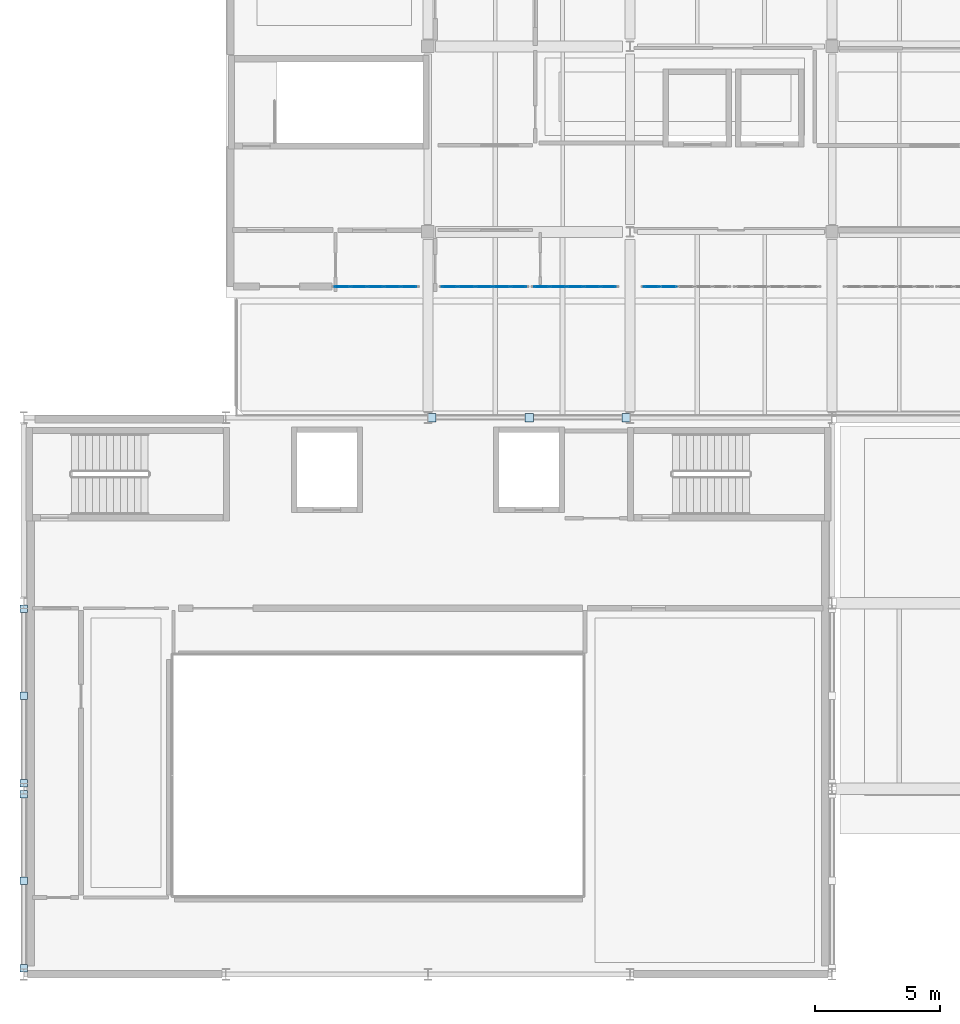
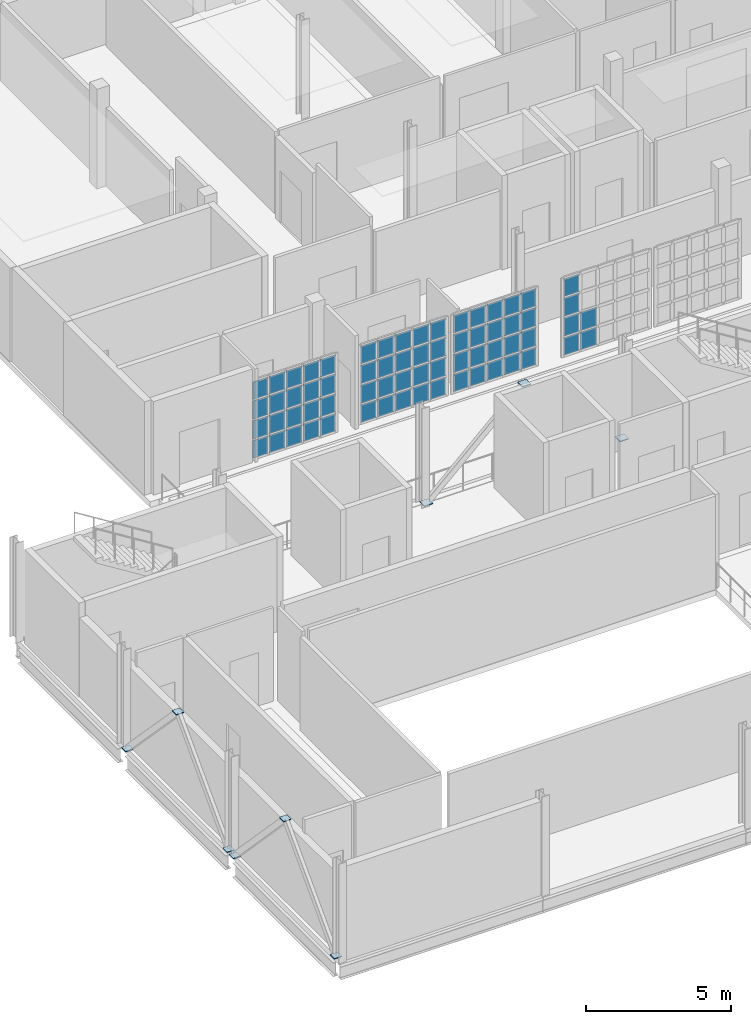
# One storey, part 16 of 25: 75 plates, 4 elements without a shape of their own.
"""IFC4 building model written with IfcOpenShell, lengths in metres."""

from ifc_helpers import new_model, si_unit, direction, frame, origin, origin_2d, place, context, subcontext, project, spatial, rectangle, extrude, material, layer, layer_set, type_object, element, aggregate, save


model = new_model("IFC4")

# Units and contexts
model_context = context("Model", 3, precision=1e-05, world=origin(), true_north=direction((0.0, 1.0)))
body_context = subcontext(model_context, "Body", "Model", "MODEL_VIEW")
ifc_project = project(units=[si_unit("LENGTHUNIT", "METRE"), si_unit("AREAUNIT", "SQUARE_METRE"), si_unit("VOLUMEUNIT", "CUBIC_METRE"), si_unit("PLANEANGLEUNIT", "RADIAN"), si_unit("MASSUNIT", "GRAM", prefix="KILO")], contexts=[model_context])

# Site, building, storey
site_placement = place(None, origin())
site = spatial("IfcSite", under=ifc_project, at=site_placement, CompositionType="ELEMENT")
building_placement = place(site_placement, origin())
building = spatial("IfcBuilding", under=site, at=building_placement, Name="Kaelora Sail Theatre", CompositionType="ELEMENT")
storey_placement = place(building_placement, frame((0.0, 0.0, 19.199951171875)))
storey = spatial("IfcBuildingStorey", under=building, at=storey_placement, Name="L04", CompositionType="ELEMENT", Elevation=19.199951171875)

# Curtain wall, plates
ifc_material_1 = material(Name="Anodised aluminium and solar-control low-E IGU", Category="aluminium")
curtain_wall_type = type_object("IfcCurtainWallType", Name="ARC-CW-CW-CLR", PredefinedType="NOTDEFINED", material=ifc_material_1)
curtain_wall_1_placement = place(storey_placement, origin())
curtain_wall_1 = element("IfcCurtainWall", 1, at=curtain_wall_1_placement, inside=storey, type_object=curtain_wall_type, Name="Glazed Foyer/Conservatory Curtain Wall NW2-S-L04-01", PredefinedType="NOTDEFINED")
ifc_material_2 = material(Name="Solar-control laminated low-E glass", Category="glass")
ifc_layer_1 = layer(ifc_material_2, 0.031982421875)
ifc_layer_set_1 = layer_set([ifc_layer_1], Name="Solar-control laminated low-E glass")
plate_type_1 = type_object("IfcPlateType", Name="ARC-CW-PNL", PredefinedType="CURTAIN_PANEL", material=ifc_layer_set_1)
plate_1_placement = place(storey_placement, frame((38.554931640625, 88.590087890625, 0.06982421875), z_axis=(0.0, 0.0, 1.0), x_axis=(1.0, 0.0, 0.0)))
plate_1 = element("IfcPlate", 2, at=plate_1_placement, type_object=plate_type_1, Name="CW-CLR panel 1.1", PredefinedType="CURTAIN_PANEL", context=body_context, shape_type="SweptSolid", body=[
    extrude(rectangle(XDim=0.590087890625, YDim=0.031982421875, at=origin_2d()), origin(), (0.0, 0.0, 1.0), 0.731689453125),
])
plate_2_placement = place(storey_placement, frame((38.554931640625, 88.590087890625, 0.87158203125), z_axis=(0.0, 0.0, 1.0), x_axis=(1.0, 0.0, 0.0)))
plate_2 = element("IfcPlate", 3, at=plate_2_placement, type_object=plate_type_1, Name="CW-CLR panel 1.2", PredefinedType="CURTAIN_PANEL", context=body_context, shape_type="SweptSolid", body=[
    extrude(rectangle(XDim=0.590087890625, YDim=0.031982421875, at=origin_2d()), origin(), (0.0, 0.0, 1.0), 0.766845703125),
])
plate_3_placement = place(storey_placement, frame((38.554931640625, 88.590087890625, 1.70849609375), z_axis=(0.0, 0.0, 1.0), x_axis=(1.0, 0.0, 0.0)))
plate_3 = element("IfcPlate", 4, at=plate_3_placement, type_object=plate_type_1, Name="CW-CLR panel 1.3", PredefinedType="CURTAIN_PANEL", context=body_context, shape_type="SweptSolid", body=[
    extrude(rectangle(XDim=0.590087890625, YDim=0.031982421875, at=origin_2d()), origin(), (0.0, 0.0, 1.0), 0.766845703125),
])
plate_4_placement = place(storey_placement, frame((38.554931640625, 88.590087890625, 2.54541015625), z_axis=(0.0, 0.0, 1.0), x_axis=(1.0, 0.0, 0.0)))
plate_4 = element("IfcPlate", 5, at=plate_4_placement, type_object=plate_type_1, Name="CW-CLR panel 1.4", PredefinedType="CURTAIN_PANEL", context=body_context, shape_type="SweptSolid", body=[
    extrude(rectangle(XDim=0.590087890625, YDim=0.031982421875, at=origin_2d()), origin(), (0.0, 0.0, 1.0), 0.731689453125),
])
plate_5_placement = place(storey_placement, frame((39.219970703125, 88.590087890625, 0.06982421875), z_axis=(0.0, 0.0, 1.0), x_axis=(1.0, 0.0, 0.0)))
plate_5 = element("IfcPlate", 6, at=plate_5_placement, type_object=plate_type_1, Name="CW-CLR panel 2.1", PredefinedType="CURTAIN_PANEL", context=body_context, shape_type="SweptSolid", body=[
    extrude(rectangle(XDim=0.6201171875, YDim=0.031982421875, at=origin_2d()), origin(), (0.0, 0.0, 1.0), 0.731689453125),
])
plate_6_placement = place(storey_placement, frame((39.219970703125, 88.590087890625, 0.87158203125), z_axis=(0.0, 0.0, 1.0), x_axis=(1.0, 0.0, 0.0)))
plate_6 = element("IfcPlate", 7, at=plate_6_placement, type_object=plate_type_1, Name="CW-CLR panel 2.2", PredefinedType="CURTAIN_PANEL", context=body_context, shape_type="SweptSolid", body=[
    extrude(rectangle(XDim=0.6201171875, YDim=0.031982421875, at=origin_2d()), origin(), (0.0, 0.0, 1.0), 0.766845703125),
])
plate_7_placement = place(storey_placement, frame((39.219970703125, 88.590087890625, 1.70849609375), z_axis=(0.0, 0.0, 1.0), x_axis=(1.0, 0.0, 0.0)))
plate_7 = element("IfcPlate", 8, at=plate_7_placement, type_object=plate_type_1, Name="CW-CLR panel 2.3", PredefinedType="CURTAIN_PANEL", context=body_context, shape_type="SweptSolid", body=[
    extrude(rectangle(XDim=0.6201171875, YDim=0.031982421875, at=origin_2d()), origin(), (0.0, 0.0, 1.0), 0.766845703125),
])
plate_8_placement = place(storey_placement, frame((39.219970703125, 88.590087890625, 2.54541015625), z_axis=(0.0, 0.0, 1.0), x_axis=(1.0, 0.0, 0.0)))
plate_8 = element("IfcPlate", 9, at=plate_8_placement, type_object=plate_type_1, Name="CW-CLR panel 2.4", PredefinedType="CURTAIN_PANEL", context=body_context, shape_type="SweptSolid", body=[
    extrude(rectangle(XDim=0.6201171875, YDim=0.031982421875, at=origin_2d()), origin(), (0.0, 0.0, 1.0), 0.731689453125),
])
plate_9_placement = place(storey_placement, frame((39.89990234375, 88.590087890625, 0.06982421875), z_axis=(0.0, 0.0, 1.0), x_axis=(1.0, 0.0, 0.0)))
plate_9 = element("IfcPlate", 10, at=plate_9_placement, type_object=plate_type_1, Name="CW-CLR panel 3.1", PredefinedType="CURTAIN_PANEL", context=body_context, shape_type="SweptSolid", body=[
    extrude(rectangle(XDim=0.6201171875, YDim=0.031982421875, at=origin_2d()), origin(), (0.0, 0.0, 1.0), 0.731689453125),
])
plate_10_placement = place(storey_placement, frame((39.89990234375, 88.590087890625, 0.87158203125), z_axis=(0.0, 0.0, 1.0), x_axis=(1.0, 0.0, 0.0)))
plate_10 = element("IfcPlate", 11, at=plate_10_placement, type_object=plate_type_1, Name="CW-CLR panel 3.2", PredefinedType="CURTAIN_PANEL", context=body_context, shape_type="SweptSolid", body=[
    extrude(rectangle(XDim=0.6201171875, YDim=0.031982421875, at=origin_2d()), origin(), (0.0, 0.0, 1.0), 0.766845703125),
])
plate_11_placement = place(storey_placement, frame((39.89990234375, 88.590087890625, 1.70849609375), z_axis=(0.0, 0.0, 1.0), x_axis=(1.0, 0.0, 0.0)))
plate_11 = element("IfcPlate", 12, at=plate_11_placement, type_object=plate_type_1, Name="CW-CLR panel 3.3", PredefinedType="CURTAIN_PANEL", context=body_context, shape_type="SweptSolid", body=[
    extrude(rectangle(XDim=0.6201171875, YDim=0.031982421875, at=origin_2d()), origin(), (0.0, 0.0, 1.0), 0.766845703125),
])
plate_12_placement = place(storey_placement, frame((39.89990234375, 88.590087890625, 2.54541015625), z_axis=(0.0, 0.0, 1.0), x_axis=(1.0, 0.0, 0.0)))
plate_12 = element("IfcPlate", 13, at=plate_12_placement, type_object=plate_type_1, Name="CW-CLR panel 3.4", PredefinedType="CURTAIN_PANEL", context=body_context, shape_type="SweptSolid", body=[
    extrude(rectangle(XDim=0.6201171875, YDim=0.031982421875, at=origin_2d()), origin(), (0.0, 0.0, 1.0), 0.731689453125),
])
plate_13_placement = place(storey_placement, frame((40.580078125, 88.590087890625, 0.06982421875), z_axis=(0.0, 0.0, 1.0), x_axis=(1.0, 0.0, 0.0)))
plate_13 = element("IfcPlate", 14, at=plate_13_placement, type_object=plate_type_1, Name="CW-CLR panel 4.1", PredefinedType="CURTAIN_PANEL", context=body_context, shape_type="SweptSolid", body=[
    extrude(rectangle(XDim=0.6201171875, YDim=0.031982421875, at=origin_2d()), origin(), (0.0, 0.0, 1.0), 0.731689453125),
])
plate_14_placement = place(storey_placement, frame((40.580078125, 88.590087890625, 0.87158203125), z_axis=(0.0, 0.0, 1.0), x_axis=(1.0, 0.0, 0.0)))
plate_14 = element("IfcPlate", 15, at=plate_14_placement, type_object=plate_type_1, Name="CW-CLR panel 4.2", PredefinedType="CURTAIN_PANEL", context=body_context, shape_type="SweptSolid", body=[
    extrude(rectangle(XDim=0.6201171875, YDim=0.031982421875, at=origin_2d()), origin(), (0.0, 0.0, 1.0), 0.766845703125),
])
plate_15_placement = place(storey_placement, frame((40.580078125, 88.590087890625, 1.70849609375), z_axis=(0.0, 0.0, 1.0), x_axis=(1.0, 0.0, 0.0)))
plate_15 = element("IfcPlate", 16, at=plate_15_placement, type_object=plate_type_1, Name="CW-CLR panel 4.3", PredefinedType="CURTAIN_PANEL", context=body_context, shape_type="SweptSolid", body=[
    extrude(rectangle(XDim=0.6201171875, YDim=0.031982421875, at=origin_2d()), origin(), (0.0, 0.0, 1.0), 0.766845703125),
])
plate_16_placement = place(storey_placement, frame((40.580078125, 88.590087890625, 2.54541015625), z_axis=(0.0, 0.0, 1.0), x_axis=(1.0, 0.0, 0.0)))
plate_16 = element("IfcPlate", 17, at=plate_16_placement, type_object=plate_type_1, Name="CW-CLR panel 4.4", PredefinedType="CURTAIN_PANEL", context=body_context, shape_type="SweptSolid", body=[
    extrude(rectangle(XDim=0.6201171875, YDim=0.031982421875, at=origin_2d()), origin(), (0.0, 0.0, 1.0), 0.731689453125),
])
plate_17_placement = place(storey_placement, frame((41.2451171875, 88.590087890625, 0.06982421875), z_axis=(0.0, 0.0, 1.0), x_axis=(1.0, 0.0, 0.0)))
plate_17 = element("IfcPlate", 18, at=plate_17_placement, type_object=plate_type_1, Name="CW-CLR panel 5.1", PredefinedType="CURTAIN_PANEL", context=body_context, shape_type="SweptSolid", body=[
    extrude(rectangle(XDim=0.590087890625, YDim=0.031982421875, at=origin_2d()), origin(), (0.0, 0.0, 1.0), 0.731689453125),
])
plate_18_placement = place(storey_placement, frame((41.2451171875, 88.590087890625, 0.87158203125), z_axis=(0.0, 0.0, 1.0), x_axis=(1.0, 0.0, 0.0)))
plate_18 = element("IfcPlate", 19, at=plate_18_placement, type_object=plate_type_1, Name="CW-CLR panel 5.2", PredefinedType="CURTAIN_PANEL", context=body_context, shape_type="SweptSolid", body=[
    extrude(rectangle(XDim=0.590087890625, YDim=0.031982421875, at=origin_2d()), origin(), (0.0, 0.0, 1.0), 0.766845703125),
])
plate_19_placement = place(storey_placement, frame((41.2451171875, 88.590087890625, 1.70849609375), z_axis=(0.0, 0.0, 1.0), x_axis=(1.0, 0.0, 0.0)))
plate_19 = element("IfcPlate", 20, at=plate_19_placement, type_object=plate_type_1, Name="CW-CLR panel 5.3", PredefinedType="CURTAIN_PANEL", context=body_context, shape_type="SweptSolid", body=[
    extrude(rectangle(XDim=0.590087890625, YDim=0.031982421875, at=origin_2d()), origin(), (0.0, 0.0, 1.0), 0.766845703125),
])
plate_20_placement = place(storey_placement, frame((41.2451171875, 88.590087890625, 2.54541015625), z_axis=(0.0, 0.0, 1.0), x_axis=(1.0, 0.0, 0.0)))
plate_20 = element("IfcPlate", 21, at=plate_20_placement, type_object=plate_type_1, Name="CW-CLR panel 5.4", PredefinedType="CURTAIN_PANEL", context=body_context, shape_type="SweptSolid", body=[
    extrude(rectangle(XDim=0.590087890625, YDim=0.031982421875, at=origin_2d()), origin(), (0.0, 0.0, 1.0), 0.731689453125),
])
aggregate(curtain_wall_1, [plate_1, plate_2, plate_3, plate_4, plate_5, plate_6, plate_7, plate_8, plate_9, plate_10, plate_11, plate_12, plate_13, plate_14, plate_15, plate_16, plate_17, plate_18, plate_19, plate_20])

curtain_wall_2_placement = place(storey_placement, origin())
curtain_wall_2 = element("IfcCurtainWall", 22, at=curtain_wall_2_placement, inside=storey, type_object=curtain_wall_type, Name="Glazed Foyer/Conservatory Curtain Wall NW2-S-L04-02", PredefinedType="NOTDEFINED")
plate_21_placement = place(storey_placement, frame((42.864990234375, 88.590087890625, 0.06982421875), z_axis=(0.0, 0.0, 1.0), x_axis=(1.0, 0.0, 0.0)))
plate_21 = element("IfcPlate", 23, at=plate_21_placement, type_object=plate_type_1, Name="CW-CLR panel 1.1", PredefinedType="CURTAIN_PANEL", context=body_context, shape_type="SweptSolid", body=[
    extrude(rectangle(XDim=0.610107421875, YDim=0.031982421875, at=origin_2d()), origin(), (0.0, 0.0, 1.0), 0.731689453125),
])
plate_22_placement = place(storey_placement, frame((42.864990234375, 88.590087890625, 0.87158203125), z_axis=(0.0, 0.0, 1.0), x_axis=(1.0, 0.0, 0.0)))
plate_22 = element("IfcPlate", 24, at=plate_22_placement, type_object=plate_type_1, Name="CW-CLR panel 1.2", PredefinedType="CURTAIN_PANEL", context=body_context, shape_type="SweptSolid", body=[
    extrude(rectangle(XDim=0.610107421875, YDim=0.031982421875, at=origin_2d()), origin(), (0.0, 0.0, 1.0), 0.766845703125),
])
plate_23_placement = place(storey_placement, frame((42.864990234375, 88.590087890625, 1.70849609375), z_axis=(0.0, 0.0, 1.0), x_axis=(1.0, 0.0, 0.0)))
plate_23 = element("IfcPlate", 25, at=plate_23_placement, type_object=plate_type_1, Name="CW-CLR panel 1.3", PredefinedType="CURTAIN_PANEL", context=body_context, shape_type="SweptSolid", body=[
    extrude(rectangle(XDim=0.610107421875, YDim=0.031982421875, at=origin_2d()), origin(), (0.0, 0.0, 1.0), 0.766845703125),
])
plate_24_placement = place(storey_placement, frame((42.864990234375, 88.590087890625, 2.54541015625), z_axis=(0.0, 0.0, 1.0), x_axis=(1.0, 0.0, 0.0)))
plate_24 = element("IfcPlate", 26, at=plate_24_placement, type_object=plate_type_1, Name="CW-CLR panel 1.4", PredefinedType="CURTAIN_PANEL", context=body_context, shape_type="SweptSolid", body=[
    extrude(rectangle(XDim=0.610107421875, YDim=0.031982421875, at=origin_2d()), origin(), (0.0, 0.0, 1.0), 0.731689453125),
])
plate_25_placement = place(storey_placement, frame((43.550048828125, 88.590087890625, 0.06982421875), z_axis=(0.0, 0.0, 1.0), x_axis=(1.0, 0.0, 0.0)))
plate_25 = element("IfcPlate", 27, at=plate_25_placement, type_object=plate_type_1, Name="CW-CLR panel 2.1", PredefinedType="CURTAIN_PANEL", context=body_context, shape_type="SweptSolid", body=[
    extrude(rectangle(XDim=0.639892578125, YDim=0.031982421875, at=origin_2d()), origin(), (0.0, 0.0, 1.0), 0.731689453125),
])
plate_26_placement = place(storey_placement, frame((43.550048828125, 88.590087890625, 0.87158203125), z_axis=(0.0, 0.0, 1.0), x_axis=(1.0, 0.0, 0.0)))
plate_26 = element("IfcPlate", 28, at=plate_26_placement, type_object=plate_type_1, Name="CW-CLR panel 2.2", PredefinedType="CURTAIN_PANEL", context=body_context, shape_type="SweptSolid", body=[
    extrude(rectangle(XDim=0.639892578125, YDim=0.031982421875, at=origin_2d()), origin(), (0.0, 0.0, 1.0), 0.766845703125),
])
plate_27_placement = place(storey_placement, frame((43.550048828125, 88.590087890625, 1.70849609375), z_axis=(0.0, 0.0, 1.0), x_axis=(1.0, 0.0, 0.0)))
plate_27 = element("IfcPlate", 29, at=plate_27_placement, type_object=plate_type_1, Name="CW-CLR panel 2.3", PredefinedType="CURTAIN_PANEL", context=body_context, shape_type="SweptSolid", body=[
    extrude(rectangle(XDim=0.639892578125, YDim=0.031982421875, at=origin_2d()), origin(), (0.0, 0.0, 1.0), 0.766845703125),
])
plate_28_placement = place(storey_placement, frame((43.550048828125, 88.590087890625, 2.54541015625), z_axis=(0.0, 0.0, 1.0), x_axis=(1.0, 0.0, 0.0)))
plate_28 = element("IfcPlate", 30, at=plate_28_placement, type_object=plate_type_1, Name="CW-CLR panel 2.4", PredefinedType="CURTAIN_PANEL", context=body_context, shape_type="SweptSolid", body=[
    extrude(rectangle(XDim=0.639892578125, YDim=0.031982421875, at=origin_2d()), origin(), (0.0, 0.0, 1.0), 0.731689453125),
])
plate_29_placement = place(storey_placement, frame((44.25, 88.590087890625, 0.06982421875), z_axis=(0.0, 0.0, 1.0), x_axis=(1.0, 0.0, 0.0)))
plate_29 = element("IfcPlate", 31, at=plate_29_placement, type_object=plate_type_1, Name="CW-CLR panel 3.1", PredefinedType="CURTAIN_PANEL", context=body_context, shape_type="SweptSolid", body=[
    extrude(rectangle(XDim=0.639892578125, YDim=0.031982421875, at=origin_2d()), origin(), (0.0, 0.0, 1.0), 0.731689453125),
])
plate_30_placement = place(storey_placement, frame((44.25, 88.590087890625, 0.87158203125), z_axis=(0.0, 0.0, 1.0), x_axis=(1.0, 0.0, 0.0)))
plate_30 = element("IfcPlate", 32, at=plate_30_placement, type_object=plate_type_1, Name="CW-CLR panel 3.2", PredefinedType="CURTAIN_PANEL", context=body_context, shape_type="SweptSolid", body=[
    extrude(rectangle(XDim=0.639892578125, YDim=0.031982421875, at=origin_2d()), origin(), (0.0, 0.0, 1.0), 0.766845703125),
])
plate_31_placement = place(storey_placement, frame((44.25, 88.590087890625, 1.70849609375), z_axis=(0.0, 0.0, 1.0), x_axis=(1.0, 0.0, 0.0)))
plate_31 = element("IfcPlate", 33, at=plate_31_placement, type_object=plate_type_1, Name="CW-CLR panel 3.3", PredefinedType="CURTAIN_PANEL", context=body_context, shape_type="SweptSolid", body=[
    extrude(rectangle(XDim=0.639892578125, YDim=0.031982421875, at=origin_2d()), origin(), (0.0, 0.0, 1.0), 0.766845703125),
])
plate_32_placement = place(storey_placement, frame((44.25, 88.590087890625, 2.54541015625), z_axis=(0.0, 0.0, 1.0), x_axis=(1.0, 0.0, 0.0)))
plate_32 = element("IfcPlate", 34, at=plate_32_placement, type_object=plate_type_1, Name="CW-CLR panel 3.4", PredefinedType="CURTAIN_PANEL", context=body_context, shape_type="SweptSolid", body=[
    extrude(rectangle(XDim=0.639892578125, YDim=0.031982421875, at=origin_2d()), origin(), (0.0, 0.0, 1.0), 0.731689453125),
])
plate_33_placement = place(storey_placement, frame((44.949951171875, 88.590087890625, 0.06982421875), z_axis=(0.0, 0.0, 1.0), x_axis=(1.0, 0.0, 0.0)))
plate_33 = element("IfcPlate", 35, at=plate_33_placement, type_object=plate_type_1, Name="CW-CLR panel 4.1", PredefinedType="CURTAIN_PANEL", context=body_context, shape_type="SweptSolid", body=[
    extrude(rectangle(XDim=0.639892578125, YDim=0.031982421875, at=origin_2d()), origin(), (0.0, 0.0, 1.0), 0.731689453125),
])
plate_34_placement = place(storey_placement, frame((44.949951171875, 88.590087890625, 0.87158203125), z_axis=(0.0, 0.0, 1.0), x_axis=(1.0, 0.0, 0.0)))
plate_34 = element("IfcPlate", 36, at=plate_34_placement, type_object=plate_type_1, Name="CW-CLR panel 4.2", PredefinedType="CURTAIN_PANEL", context=body_context, shape_type="SweptSolid", body=[
    extrude(rectangle(XDim=0.639892578125, YDim=0.031982421875, at=origin_2d()), origin(), (0.0, 0.0, 1.0), 0.766845703125),
])
plate_35_placement = place(storey_placement, frame((44.949951171875, 88.590087890625, 1.70849609375), z_axis=(0.0, 0.0, 1.0), x_axis=(1.0, 0.0, 0.0)))
plate_35 = element("IfcPlate", 37, at=plate_35_placement, type_object=plate_type_1, Name="CW-CLR panel 4.3", PredefinedType="CURTAIN_PANEL", context=body_context, shape_type="SweptSolid", body=[
    extrude(rectangle(XDim=0.639892578125, YDim=0.031982421875, at=origin_2d()), origin(), (0.0, 0.0, 1.0), 0.766845703125),
])
plate_36_placement = place(storey_placement, frame((44.949951171875, 88.590087890625, 2.54541015625), z_axis=(0.0, 0.0, 1.0), x_axis=(1.0, 0.0, 0.0)))
plate_36 = element("IfcPlate", 38, at=plate_36_placement, type_object=plate_type_1, Name="CW-CLR panel 4.4", PredefinedType="CURTAIN_PANEL", context=body_context, shape_type="SweptSolid", body=[
    extrude(rectangle(XDim=0.639892578125, YDim=0.031982421875, at=origin_2d()), origin(), (0.0, 0.0, 1.0), 0.731689453125),
])
plate_37_placement = place(storey_placement, frame((45.635009765625, 88.590087890625, 0.06982421875), z_axis=(0.0, 0.0, 1.0), x_axis=(1.0, 0.0, 0.0)))
plate_37 = element("IfcPlate", 39, at=plate_37_placement, type_object=plate_type_1, Name="CW-CLR panel 5.1", PredefinedType="CURTAIN_PANEL", context=body_context, shape_type="SweptSolid", body=[
    extrude(rectangle(XDim=0.610107421875, YDim=0.031982421875, at=origin_2d()), origin(), (0.0, 0.0, 1.0), 0.731689453125),
])
plate_38_placement = place(storey_placement, frame((45.635009765625, 88.590087890625, 0.87158203125), z_axis=(0.0, 0.0, 1.0), x_axis=(1.0, 0.0, 0.0)))
plate_38 = element("IfcPlate", 40, at=plate_38_placement, type_object=plate_type_1, Name="CW-CLR panel 5.2", PredefinedType="CURTAIN_PANEL", context=body_context, shape_type="SweptSolid", body=[
    extrude(rectangle(XDim=0.610107421875, YDim=0.031982421875, at=origin_2d()), origin(), (0.0, 0.0, 1.0), 0.766845703125),
])
plate_39_placement = place(storey_placement, frame((45.635009765625, 88.590087890625, 1.70849609375), z_axis=(0.0, 0.0, 1.0), x_axis=(1.0, 0.0, 0.0)))
plate_39 = element("IfcPlate", 41, at=plate_39_placement, type_object=plate_type_1, Name="CW-CLR panel 5.3", PredefinedType="CURTAIN_PANEL", context=body_context, shape_type="SweptSolid", body=[
    extrude(rectangle(XDim=0.610107421875, YDim=0.031982421875, at=origin_2d()), origin(), (0.0, 0.0, 1.0), 0.766845703125),
])
plate_40_placement = place(storey_placement, frame((45.635009765625, 88.590087890625, 2.54541015625), z_axis=(0.0, 0.0, 1.0), x_axis=(1.0, 0.0, 0.0)))
plate_40 = element("IfcPlate", 42, at=plate_40_placement, type_object=plate_type_1, Name="CW-CLR panel 5.4", PredefinedType="CURTAIN_PANEL", context=body_context, shape_type="SweptSolid", body=[
    extrude(rectangle(XDim=0.610107421875, YDim=0.031982421875, at=origin_2d()), origin(), (0.0, 0.0, 1.0), 0.731689453125),
])
aggregate(curtain_wall_2, [plate_21, plate_22, plate_23, plate_24, plate_25, plate_26, plate_27, plate_28, plate_29, plate_30, plate_31, plate_32, plate_33, plate_34, plate_35, plate_36, plate_37, plate_38, plate_39, plate_40])

curtain_wall_3_placement = place(storey_placement, origin())
curtain_wall_3 = element("IfcCurtainWall", 43, at=curtain_wall_3_placement, inside=storey, type_object=curtain_wall_type, Name="Glazed Foyer/Conservatory Curtain Wall NW2-S-L04-03", PredefinedType="NOTDEFINED")
plate_41_placement = place(storey_placement, frame((46.554931640625, 88.590087890625, 0.06982421875), z_axis=(0.0, 0.0, 1.0), x_axis=(1.0, 0.0, 0.0)))
plate_41 = element("IfcPlate", 44, at=plate_41_placement, type_object=plate_type_1, Name="CW-CLR panel 1.1", PredefinedType="CURTAIN_PANEL", context=body_context, shape_type="SweptSolid", body=[
    extrude(rectangle(XDim=0.590087890625, YDim=0.031982421875, at=origin_2d()), origin(), (0.0, 0.0, 1.0), 0.731689453125),
])
plate_42_placement = place(storey_placement, frame((46.554931640625, 88.590087890625, 0.87158203125), z_axis=(0.0, 0.0, 1.0), x_axis=(1.0, 0.0, 0.0)))
plate_42 = element("IfcPlate", 45, at=plate_42_placement, type_object=plate_type_1, Name="CW-CLR panel 1.2", PredefinedType="CURTAIN_PANEL", context=body_context, shape_type="SweptSolid", body=[
    extrude(rectangle(XDim=0.590087890625, YDim=0.031982421875, at=origin_2d()), origin(), (0.0, 0.0, 1.0), 0.766845703125),
])
plate_43_placement = place(storey_placement, frame((46.554931640625, 88.590087890625, 1.70849609375), z_axis=(0.0, 0.0, 1.0), x_axis=(1.0, 0.0, 0.0)))
plate_43 = element("IfcPlate", 46, at=plate_43_placement, type_object=plate_type_1, Name="CW-CLR panel 1.3", PredefinedType="CURTAIN_PANEL", context=body_context, shape_type="SweptSolid", body=[
    extrude(rectangle(XDim=0.590087890625, YDim=0.031982421875, at=origin_2d()), origin(), (0.0, 0.0, 1.0), 0.766845703125),
])
plate_44_placement = place(storey_placement, frame((46.554931640625, 88.590087890625, 2.54541015625), z_axis=(0.0, 0.0, 1.0), x_axis=(1.0, 0.0, 0.0)))
plate_44 = element("IfcPlate", 47, at=plate_44_placement, type_object=plate_type_1, Name="CW-CLR panel 1.4", PredefinedType="CURTAIN_PANEL", context=body_context, shape_type="SweptSolid", body=[
    extrude(rectangle(XDim=0.590087890625, YDim=0.031982421875, at=origin_2d()), origin(), (0.0, 0.0, 1.0), 0.731689453125),
])
plate_45_placement = place(storey_placement, frame((47.219970703125, 88.590087890625, 0.06982421875), z_axis=(0.0, 0.0, 1.0), x_axis=(1.0, 0.0, 0.0)))
plate_45 = element("IfcPlate", 48, at=plate_45_placement, type_object=plate_type_1, Name="CW-CLR panel 2.1", PredefinedType="CURTAIN_PANEL", context=body_context, shape_type="SweptSolid", body=[
    extrude(rectangle(XDim=0.6201171875, YDim=0.031982421875, at=origin_2d()), origin(), (0.0, 0.0, 1.0), 0.731689453125),
])
plate_46_placement = place(storey_placement, frame((47.219970703125, 88.590087890625, 0.87158203125), z_axis=(0.0, 0.0, 1.0), x_axis=(1.0, 0.0, 0.0)))
plate_46 = element("IfcPlate", 49, at=plate_46_placement, type_object=plate_type_1, Name="CW-CLR panel 2.2", PredefinedType="CURTAIN_PANEL", context=body_context, shape_type="SweptSolid", body=[
    extrude(rectangle(XDim=0.6201171875, YDim=0.031982421875, at=origin_2d()), origin(), (0.0, 0.0, 1.0), 0.766845703125),
])
plate_47_placement = place(storey_placement, frame((47.219970703125, 88.590087890625, 1.70849609375), z_axis=(0.0, 0.0, 1.0), x_axis=(1.0, 0.0, 0.0)))
plate_47 = element("IfcPlate", 50, at=plate_47_placement, type_object=plate_type_1, Name="CW-CLR panel 2.3", PredefinedType="CURTAIN_PANEL", context=body_context, shape_type="SweptSolid", body=[
    extrude(rectangle(XDim=0.6201171875, YDim=0.031982421875, at=origin_2d()), origin(), (0.0, 0.0, 1.0), 0.766845703125),
])
plate_48_placement = place(storey_placement, frame((47.219970703125, 88.590087890625, 2.54541015625), z_axis=(0.0, 0.0, 1.0), x_axis=(1.0, 0.0, 0.0)))
plate_48 = element("IfcPlate", 51, at=plate_48_placement, type_object=plate_type_1, Name="CW-CLR panel 2.4", PredefinedType="CURTAIN_PANEL", context=body_context, shape_type="SweptSolid", body=[
    extrude(rectangle(XDim=0.6201171875, YDim=0.031982421875, at=origin_2d()), origin(), (0.0, 0.0, 1.0), 0.731689453125),
])
plate_49_placement = place(storey_placement, frame((47.89990234375, 88.590087890625, 0.06982421875), z_axis=(0.0, 0.0, 1.0), x_axis=(1.0, 0.0, 0.0)))
plate_49 = element("IfcPlate", 52, at=plate_49_placement, type_object=plate_type_1, Name="CW-CLR panel 3.1", PredefinedType="CURTAIN_PANEL", context=body_context, shape_type="SweptSolid", body=[
    extrude(rectangle(XDim=0.6201171875, YDim=0.031982421875, at=origin_2d()), origin(), (0.0, 0.0, 1.0), 0.731689453125),
])
plate_50_placement = place(storey_placement, frame((47.89990234375, 88.590087890625, 0.87158203125), z_axis=(0.0, 0.0, 1.0), x_axis=(1.0, 0.0, 0.0)))
plate_50 = element("IfcPlate", 53, at=plate_50_placement, type_object=plate_type_1, Name="CW-CLR panel 3.2", PredefinedType="CURTAIN_PANEL", context=body_context, shape_type="SweptSolid", body=[
    extrude(rectangle(XDim=0.6201171875, YDim=0.031982421875, at=origin_2d()), origin(), (0.0, 0.0, 1.0), 0.766845703125),
])
plate_51_placement = place(storey_placement, frame((47.89990234375, 88.590087890625, 1.70849609375), z_axis=(0.0, 0.0, 1.0), x_axis=(1.0, 0.0, 0.0)))
plate_51 = element("IfcPlate", 54, at=plate_51_placement, type_object=plate_type_1, Name="CW-CLR panel 3.3", PredefinedType="CURTAIN_PANEL", context=body_context, shape_type="SweptSolid", body=[
    extrude(rectangle(XDim=0.6201171875, YDim=0.031982421875, at=origin_2d()), origin(), (0.0, 0.0, 1.0), 0.766845703125),
])
plate_52_placement = place(storey_placement, frame((47.89990234375, 88.590087890625, 2.54541015625), z_axis=(0.0, 0.0, 1.0), x_axis=(1.0, 0.0, 0.0)))
plate_52 = element("IfcPlate", 55, at=plate_52_placement, type_object=plate_type_1, Name="CW-CLR panel 3.4", PredefinedType="CURTAIN_PANEL", context=body_context, shape_type="SweptSolid", body=[
    extrude(rectangle(XDim=0.6201171875, YDim=0.031982421875, at=origin_2d()), origin(), (0.0, 0.0, 1.0), 0.731689453125),
])
plate_53_placement = place(storey_placement, frame((48.580078125, 88.590087890625, 0.06982421875), z_axis=(0.0, 0.0, 1.0), x_axis=(1.0, 0.0, 0.0)))
plate_53 = element("IfcPlate", 56, at=plate_53_placement, type_object=plate_type_1, Name="CW-CLR panel 4.1", PredefinedType="CURTAIN_PANEL", context=body_context, shape_type="SweptSolid", body=[
    extrude(rectangle(XDim=0.6201171875, YDim=0.031982421875, at=origin_2d()), origin(), (0.0, 0.0, 1.0), 0.731689453125),
])
plate_54_placement = place(storey_placement, frame((48.580078125, 88.590087890625, 0.87158203125), z_axis=(0.0, 0.0, 1.0), x_axis=(1.0, 0.0, 0.0)))
plate_54 = element("IfcPlate", 57, at=plate_54_placement, type_object=plate_type_1, Name="CW-CLR panel 4.2", PredefinedType="CURTAIN_PANEL", context=body_context, shape_type="SweptSolid", body=[
    extrude(rectangle(XDim=0.6201171875, YDim=0.031982421875, at=origin_2d()), origin(), (0.0, 0.0, 1.0), 0.766845703125),
])
plate_55_placement = place(storey_placement, frame((48.580078125, 88.590087890625, 1.70849609375), z_axis=(0.0, 0.0, 1.0), x_axis=(1.0, 0.0, 0.0)))
plate_55 = element("IfcPlate", 58, at=plate_55_placement, type_object=plate_type_1, Name="CW-CLR panel 4.3", PredefinedType="CURTAIN_PANEL", context=body_context, shape_type="SweptSolid", body=[
    extrude(rectangle(XDim=0.6201171875, YDim=0.031982421875, at=origin_2d()), origin(), (0.0, 0.0, 1.0), 0.766845703125),
])
plate_56_placement = place(storey_placement, frame((48.580078125, 88.590087890625, 2.54541015625), z_axis=(0.0, 0.0, 1.0), x_axis=(1.0, 0.0, 0.0)))
plate_56 = element("IfcPlate", 59, at=plate_56_placement, type_object=plate_type_1, Name="CW-CLR panel 4.4", PredefinedType="CURTAIN_PANEL", context=body_context, shape_type="SweptSolid", body=[
    extrude(rectangle(XDim=0.6201171875, YDim=0.031982421875, at=origin_2d()), origin(), (0.0, 0.0, 1.0), 0.731689453125),
])
plate_57_placement = place(storey_placement, frame((49.2451171875, 88.590087890625, 0.06982421875), z_axis=(0.0, 0.0, 1.0), x_axis=(1.0, 0.0, 0.0)))
plate_57 = element("IfcPlate", 60, at=plate_57_placement, type_object=plate_type_1, Name="CW-CLR panel 5.1", PredefinedType="CURTAIN_PANEL", context=body_context, shape_type="SweptSolid", body=[
    extrude(rectangle(XDim=0.590087890625, YDim=0.031982421875, at=origin_2d()), origin(), (0.0, 0.0, 1.0), 0.731689453125),
])
plate_58_placement = place(storey_placement, frame((49.2451171875, 88.590087890625, 0.87158203125), z_axis=(0.0, 0.0, 1.0), x_axis=(1.0, 0.0, 0.0)))
plate_58 = element("IfcPlate", 61, at=plate_58_placement, type_object=plate_type_1, Name="CW-CLR panel 5.2", PredefinedType="CURTAIN_PANEL", context=body_context, shape_type="SweptSolid", body=[
    extrude(rectangle(XDim=0.590087890625, YDim=0.031982421875, at=origin_2d()), origin(), (0.0, 0.0, 1.0), 0.766845703125),
])
plate_59_placement = place(storey_placement, frame((49.2451171875, 88.590087890625, 1.70849609375), z_axis=(0.0, 0.0, 1.0), x_axis=(1.0, 0.0, 0.0)))
plate_59 = element("IfcPlate", 62, at=plate_59_placement, type_object=plate_type_1, Name="CW-CLR panel 5.3", PredefinedType="CURTAIN_PANEL", context=body_context, shape_type="SweptSolid", body=[
    extrude(rectangle(XDim=0.590087890625, YDim=0.031982421875, at=origin_2d()), origin(), (0.0, 0.0, 1.0), 0.766845703125),
])
plate_60_placement = place(storey_placement, frame((49.2451171875, 88.590087890625, 2.54541015625), z_axis=(0.0, 0.0, 1.0), x_axis=(1.0, 0.0, 0.0)))
plate_60 = element("IfcPlate", 63, at=plate_60_placement, type_object=plate_type_1, Name="CW-CLR panel 5.4", PredefinedType="CURTAIN_PANEL", context=body_context, shape_type="SweptSolid", body=[
    extrude(rectangle(XDim=0.590087890625, YDim=0.031982421875, at=origin_2d()), origin(), (0.0, 0.0, 1.0), 0.731689453125),
])
aggregate(curtain_wall_3, [plate_41, plate_42, plate_43, plate_44, plate_45, plate_46, plate_47, plate_48, plate_49, plate_50, plate_51, plate_52, plate_53, plate_54, plate_55, plate_56, plate_57, plate_58, plate_59, plate_60])

curtain_wall_4_placement = place(storey_placement, origin())
curtain_wall_4 = element("IfcCurtainWall", 64, at=curtain_wall_4_placement, inside=storey, type_object=curtain_wall_type, Name="Glazed Foyer/Conservatory Curtain Wall NW2-S-L04-04", PredefinedType="NOTDEFINED")
plate_61_placement = place(storey_placement, frame((50.965087890625, 88.590087890625, 0.06982421875), z_axis=(0.0, 0.0, 1.0), x_axis=(1.0, 0.0, 0.0)))
plate_61 = element("IfcPlate", 65, at=plate_61_placement, type_object=plate_type_1, Name="CW-CLR panel 1.1", PredefinedType="CURTAIN_PANEL", context=body_context, shape_type="SweptSolid", body=[
    extrude(rectangle(XDim=0.610107421875, YDim=0.031982421875, at=origin_2d()), origin(), (0.0, 0.0, 1.0), 0.731689453125),
])
plate_62_placement = place(storey_placement, frame((50.965087890625, 88.590087890625, 0.87158203125), z_axis=(0.0, 0.0, 1.0), x_axis=(1.0, 0.0, 0.0)))
plate_62 = element("IfcPlate", 66, at=plate_62_placement, type_object=plate_type_1, Name="CW-CLR panel 1.2", PredefinedType="CURTAIN_PANEL", context=body_context, shape_type="SweptSolid", body=[
    extrude(rectangle(XDim=0.610107421875, YDim=0.031982421875, at=origin_2d()), origin(), (0.0, 0.0, 1.0), 0.766845703125),
])
plate_63_placement = place(storey_placement, frame((50.965087890625, 88.590087890625, 1.70849609375), z_axis=(0.0, 0.0, 1.0), x_axis=(1.0, 0.0, 0.0)))
plate_63 = element("IfcPlate", 67, at=plate_63_placement, type_object=plate_type_1, Name="CW-CLR panel 1.3", PredefinedType="CURTAIN_PANEL", context=body_context, shape_type="SweptSolid", body=[
    extrude(rectangle(XDim=0.610107421875, YDim=0.031982421875, at=origin_2d()), origin(), (0.0, 0.0, 1.0), 0.766845703125),
])
plate_64_placement = place(storey_placement, frame((50.965087890625, 88.590087890625, 2.54541015625), z_axis=(0.0, 0.0, 1.0), x_axis=(1.0, 0.0, 0.0)))
plate_64 = element("IfcPlate", 68, at=plate_64_placement, type_object=plate_type_1, Name="CW-CLR panel 1.4", PredefinedType="CURTAIN_PANEL", context=body_context, shape_type="SweptSolid", body=[
    extrude(rectangle(XDim=0.610107421875, YDim=0.031982421875, at=origin_2d()), origin(), (0.0, 0.0, 1.0), 0.731689453125),
])
plate_65_placement = place(storey_placement, frame((51.64990234375, 88.590087890625, 0.06982421875), z_axis=(0.0, 0.0, 1.0), x_axis=(1.0, 0.0, 0.0)))
plate_65 = element("IfcPlate", 69, at=plate_65_placement, type_object=plate_type_1, Name="CW-CLR panel 2.1", PredefinedType="CURTAIN_PANEL", context=body_context, shape_type="SweptSolid", body=[
    extrude(rectangle(XDim=0.639892578125, YDim=0.031982421875, at=origin_2d()), origin(), (0.0, 0.0, 1.0), 0.731689453125),
])
plate_66_placement = place(storey_placement, frame((51.64990234375, 88.590087890625, 0.87158203125), z_axis=(0.0, 0.0, 1.0), x_axis=(1.0, 0.0, 0.0)))
plate_66 = element("IfcPlate", 70, at=plate_66_placement, type_object=plate_type_1, Name="CW-CLR panel 2.2", PredefinedType="CURTAIN_PANEL", context=body_context, shape_type="SweptSolid", body=[
    extrude(rectangle(XDim=0.639892578125, YDim=0.031982421875, at=origin_2d()), origin(), (0.0, 0.0, 1.0), 0.766845703125),
])
aggregate(curtain_wall_4, [plate_61, plate_62, plate_63, plate_64, plate_65, plate_66])

# Plates
ifc_material_3 = material(Name="Steel S355", Category="steel")
ifc_layer_2 = layer(ifc_material_3, 0.035888671875)
ifc_layer_set_2 = layer_set([ifc_layer_2], Name="Steel S355")
plate_type_2 = type_object("IfcPlateType", Name="STR-PL-EP-36", PredefinedType="SHEET", material=ifc_layer_set_2)
for number, where, z_axis, x_axis, name in (
    (71, (25.800048828125, 61.268798828125, -0.009765625), (0.0, 0.0, 1.0), (1.0, 0.0, 0.0), "Fly Tower chevron brace L04 WS1 end cap plate A"),
    (72, (25.800048828125, 64.76611328125, 3.65869140625), (0.0, 0.0, 1.0), (1.0, 0.0, 0.0), "Fly Tower chevron brace L04 WS1 end cap plate B"),
    (73, (25.800048828125, 68.2412109375, -0.009765625), (0.0, 0.0, 1.0), (1.0, 0.0, 0.0), "Fly Tower chevron brace L04 WS2 end cap plate A"),
    (74, (25.800048828125, 68.6787109375, -0.009765625), (0.0, 0.0, 1.0), (1.0, 0.0, 0.0), "Fly Tower chevron brace L04 WM1 end cap plate A"),
    (75, (25.800048828125, 72.191162109375, 3.65869140625), (0.0, 0.0, 1.0), (1.0, 0.0, 0.0), "Fly Tower chevron brace L04 WM1 end cap plate B"),
    (76, (25.800048828125, 75.68115234375, -0.009765625), (0.0, 0.0, 1.0), (1.0, 0.0, 0.0), "Fly Tower chevron brace L04 WM2 end cap plate A"),
):
    element("IfcPlate", number, at=place(storey_placement, frame(where, z_axis=z_axis, x_axis=x_axis)), inside=storey, type_object=plate_type_2, Name=name, PredefinedType="SHEET", context=body_context, shape_type="SweptSolid", body=[
        extrude(rectangle(XDim=0.300048828125, YDim=0.300048828125, at=origin_2d()), origin(), (0.0, 0.0, 1.0), 0.035888671875),
    ])
for number, where, z_axis, x_axis, name in (
    (77, (42.148193359375, 83.340087890625, -0.0087890625), (0.0, 0.0, 1.0), (1.0, 0.0, 0.0), "Fly Tower north chevron brace L04 N3-1 end cap plate A"),
    (78, (46.061767578125, 83.340087890625, 3.658203125), (0.0, 0.0, 1.0), (1.0, 0.0, 0.0), "Fly Tower north chevron brace L04 N3-1 end cap plate B"),
    (79, (49.951904296875, 83.340087890625, -0.0087890625), (0.0, 0.0, 1.0), (1.0, 0.0, 0.0), "Fly Tower north chevron brace L04 N3-2 end cap plate A"),
):
    element("IfcPlate", number, at=place(storey_placement, frame(where, z_axis=z_axis, x_axis=x_axis)), inside=storey, type_object=plate_type_2, Name=name, PredefinedType="SHEET", context=body_context, shape_type="SweptSolid", body=[
        extrude(rectangle(XDim=0.340087890625, YDim=0.340087890625, at=origin_2d()), origin(), (0.0, 0.0, 1.0), 0.035888671875),
    ])

save(model, "model.ifc")
